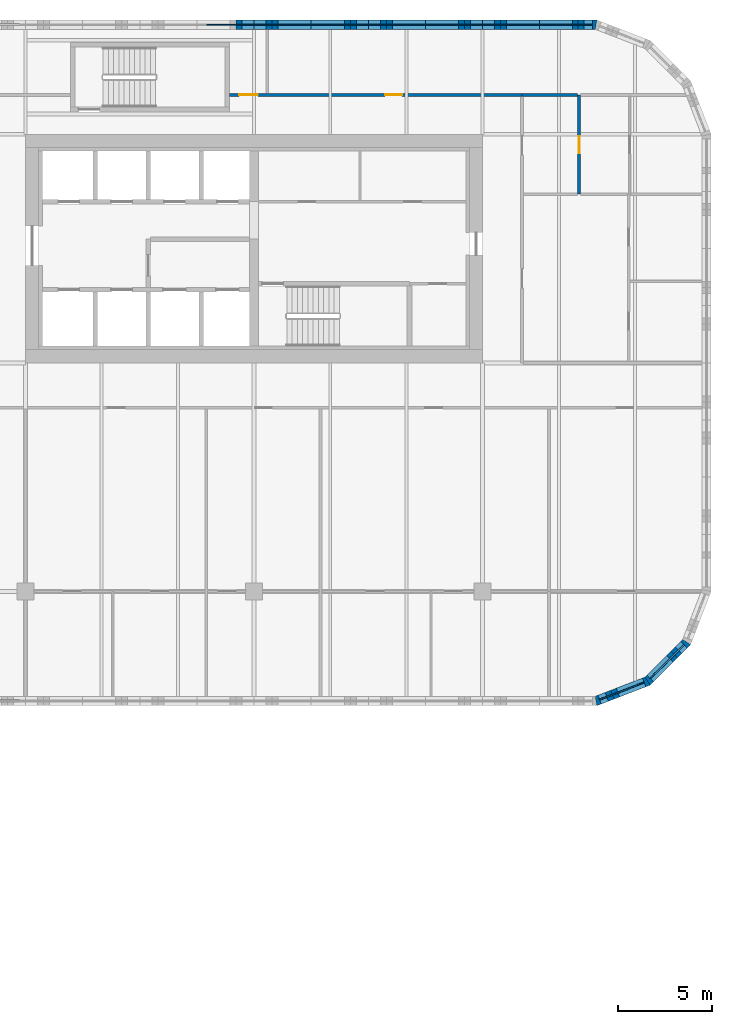
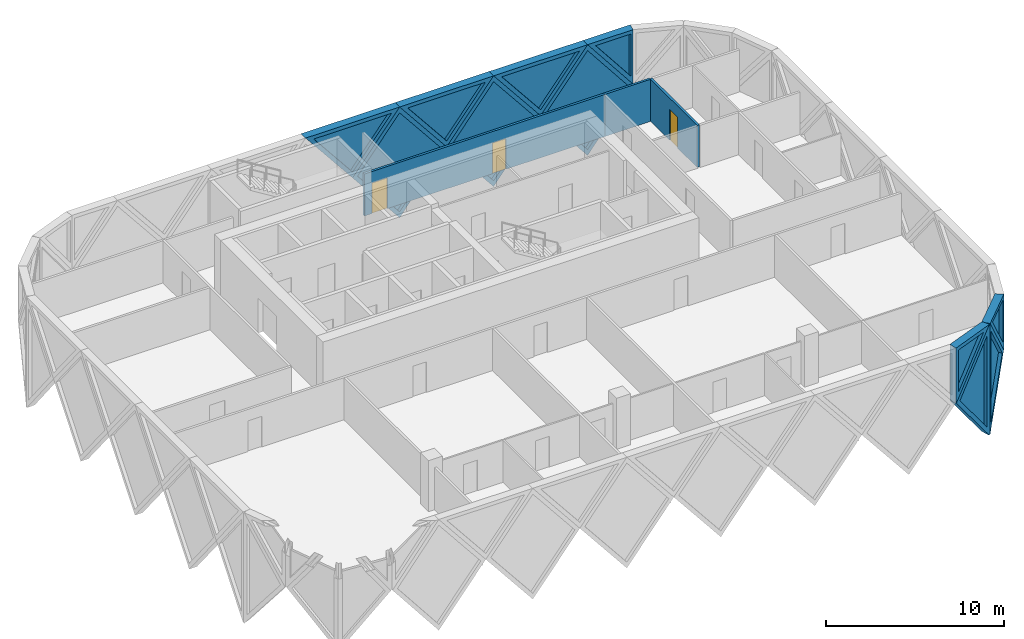
# One storey, part 19 of 24: 14 walls, 11 plates, 3 doors, 14 openings.
"""IFC4 building model written with IfcOpenShell, lengths in metres."""

from ifc_helpers import new_model, si_unit, direction, frame, frame_2d, origin, place, context, subcontext, project, spatial, polyline, rectangle, outline, extrude, faceted_brep, source, transform, mapped, material, layer, layer_set, type_object, element, fill, save


model = new_model("IFC4")

# Units and contexts
model_context = context("Model", 3, precision=1e-05, world=origin(), true_north=direction((0.0, 1.0)))
body_context = subcontext(model_context, "Body", "Model", "MODEL_VIEW")
ifc_project = project(units=[si_unit("LENGTHUNIT", "METRE"), si_unit("AREAUNIT", "SQUARE_METRE"), si_unit("VOLUMEUNIT", "CUBIC_METRE"), si_unit("PLANEANGLEUNIT", "RADIAN"), si_unit("MASSUNIT", "GRAM", prefix="KILO")], contexts=[model_context])

# Site, building, storey
site_placement = place(None, origin())
site = spatial("IfcSite", under=ifc_project, at=site_placement, CompositionType="ELEMENT")
building_placement = place(site_placement, origin())
building = spatial("IfcBuilding", under=site, at=building_placement, Name="Tessera Gate Towers", CompositionType="ELEMENT")
storey_placement = place(building_placement, frame((0.0, 0.0, 60.0)))
storey = spatial("IfcBuildingStorey", under=building, at=storey_placement, Name="L14", CompositionType="ELEMENT", Elevation=60.0)

# Wall, openings, doors
ifc_material_1 = material(Name="Gypsum board on steel studs, mineral wool", Category="steel")
ifc_layer_1 = layer(ifc_material_1, 0.14990234375)
ifc_layer_set_1 = layer_set([ifc_layer_1], Name="CORRIDOR WALL 150")
wall_type_1 = type_object("IfcWallType", Name="CORRIDOR WALL 150", PredefinedType="PARTITIONING", material=ifc_layer_set_1)
wall_1_placement = place(storey_placement, frame((108.5, 50.89990234375, 0.0), z_axis=(0.0, 0.0, 1.0), x_axis=(1.0, 0.0, 0.0)))
wall_1 = element("IfcWall", 1, at=wall_1_placement, inside=storey, type_object=wall_type_1, Name="T2-L14-PW-032", PredefinedType="PARTITIONING", context=body_context, shape_type="SweptSolid", body=[
    extrude(rectangle(XDim=15.60009765625, YDim=0.14990234375, at=frame_2d((7.800048828125, 0.0))), origin(), (0.0, 0.0, 1.0), 2.887939453125),
])
shared_shape_1 = source(origin(), body_context, "Body", "SweptSolid", [
    extrude(rectangle(XDim=1.0, YDim=2.10009765625, at=frame_2d((0.5, 1.050048828125))), frame((0.0, 0.0849609375, 0.0), z_axis=(0.0, -1.0, 0.0), x_axis=(1.0, 0.0, 0.0)), (0.0, 0.0, 1.0), 0.169921875),
])
opening_1_placement = place(wall_1_placement, frame((0.5, 0.0, 0.0)))
opening_1 = element("IfcOpeningElement", 2, at=opening_1_placement, cuts=wall_1, Name="Opening D2100FD60-B06-03", PredefinedType="OPENING", context=body_context, shape_type="MappedRepresentation", body=[
    mapped(shared_shape_1, transform((0.0, 0.0, 0.0), scale=1.0)),
])
shared_shape_2 = source(origin(), body_context, "Body", "SweptSolid", [
    extrude(rectangle(XDim=0.89990234375, YDim=2.10009765625, at=frame_2d((0.449951171875, 1.050048828125))), frame((0.0, 0.0849609375, 0.0), z_axis=(0.0, -1.0, 0.0), x_axis=(1.0, 0.0, 0.0)), (0.0, 0.0, 1.0), 0.169921875),
])
opening_2_placement = place(wall_1_placement, frame((8.300048828125, 0.0, 0.0)))
opening_2 = element("IfcOpeningElement", 3, at=opening_2_placement, cuts=wall_1, Name="Opening D890FD60-B06-06", PredefinedType="OPENING", context=body_context, shape_type="MappedRepresentation", body=[
    mapped(shared_shape_2, transform((0.0, 0.0, 0.0), scale=1.0)),
])
ifc_material_2 = material(Name="Timber door leaf in steel frame", Category="steel")
door_type_1 = type_object("IfcDoorType", Name="CORRIDOR DOOR 900 FD60", OperationType="NOTDEFINED", PredefinedType="DOOR", material=ifc_material_2)
shared_shape_3 = source(origin(), body_context, "Body", "SweptSolid", [
    extrude(rectangle(XDim=0.89990234375, YDim=2.10009765625, at=frame_2d((0.449951171875, 1.050048828125))), frame((0.0, 0.02490234375, 0.0), z_axis=(0.0, -1.0, 0.0), x_axis=(1.0, 0.0, 0.0)), (0.0, 0.0, 1.0), 0.050048828125),
])
door_1_placement = place(opening_2_placement, origin())
door_1 = element("IfcDoor", 4, at=door_1_placement, inside=storey, type_object=door_type_1, Name="T2-L14-PD-019", OperationType="SINGLE_SWING_LEFT", OverallHeight=2.10009765625, OverallWidth=0.89990234375, PredefinedType="DOOR", context=body_context, shape_type="MappedRepresentation", body=[
    mapped(shared_shape_3, transform((0.0, 0.0, 0.0), scale=1.0)),
])
fill(opening_2, door_1)
ifc_material_3 = material(Name="Timber door leaf in steel frame", Category="steel")
door_type_2 = type_object("IfcDoorType", Name="TENANCY ENTRANCE DOOR 1000 FD60", OperationType="NOTDEFINED", PredefinedType="DOOR", material=ifc_material_3)
shared_shape_4 = source(origin(), body_context, "Body", "SweptSolid", [
    extrude(rectangle(XDim=1.0, YDim=2.10009765625, at=frame_2d((0.5, 1.050048828125))), frame((0.0, 0.02490234375, 0.0), z_axis=(0.0, -1.0, 0.0), x_axis=(1.0, 0.0, 0.0)), (0.0, 0.0, 1.0), 0.050048828125),
])
door_2_placement = place(opening_1_placement, origin())
door_2 = element("IfcDoor", 5, at=door_2_placement, inside=storey, type_object=door_type_2, Name="T2-L14-PD-013", OperationType="SINGLE_SWING_RIGHT", OverallHeight=2.10009765625, OverallWidth=1.0, PredefinedType="DOOR", context=body_context, shape_type="MappedRepresentation", body=[
    mapped(shared_shape_4, transform((0.0, 0.0, 0.0), scale=1.0)),
])
fill(opening_1, door_2)

# Wall, opening, door
ifc_material_4 = material(Name="Gypsum board on steel studs, mineral wool", Category="steel")
ifc_layer_2 = layer(ifc_material_4, 0.14990234375)
ifc_layer_set_2 = layer_set([ifc_layer_2], Name="TENANCY WALL 150")
wall_type_2 = type_object("IfcWallType", Name="TENANCY WALL 150", PredefinedType="PARTITIONING", material=ifc_layer_set_2)
wall_2_placement = place(storey_placement, frame((127.14990234375, 50.89990234375, 0.0), z_axis=(0.0, 0.0, 1.0), x_axis=(0.0, -1.0, 0.0)))
wall_2 = element("IfcWall", 6, at=wall_2_placement, inside=storey, type_object=wall_type_2, Name="T2-L14-PW-026", PredefinedType="PARTITIONING", context=body_context, shape_type="SweptSolid", body=[
    extrude(rectangle(XDim=5.2998046875, YDim=0.14990234375, at=frame_2d((2.64990234375, 0.0))), origin(), (0.0, 0.0, 1.0), 2.887939453125),
])
opening_3_placement = place(wall_2_placement, frame((2.199951171875, 0.0, 0.0)))
opening_3 = element("IfcOpeningElement", 7, at=opening_3_placement, cuts=wall_2, Name="Opening D190-B06-04", PredefinedType="OPENING", context=body_context, shape_type="MappedRepresentation", body=[
    mapped(shared_shape_2, transform((0.0, 0.0, 0.0), scale=1.0)),
])
ifc_material_5 = material(Name="Timber door leaf in steel frame", Category="steel")
door_type_3 = type_object("IfcDoorType", Name="INTERNAL DOOR 900 NOT RATED", OperationType="NOTDEFINED", PredefinedType="DOOR", material=ifc_material_5)
door_3_placement = place(opening_3_placement, origin())
door_3 = element("IfcDoor", 8, at=door_3_placement, inside=storey, type_object=door_type_3, Name="T2-L14-PD-010", OperationType="SINGLE_SWING_RIGHT", OverallHeight=2.10009765625, OverallWidth=0.89990234375, PredefinedType="DOOR", context=body_context, shape_type="MappedRepresentation", body=[
    mapped(shared_shape_3, transform((0.0, 0.0, 0.0), scale=1.0)),
])
fill(opening_3, door_3)

# Wall
wall_3_placement = place(storey_placement, frame((124.10107421875, 50.89990234375, 0.0), z_axis=(0.0, 0.0, 1.0), x_axis=(1.0, 0.0, 0.0)))
element("IfcWall", 9, at=wall_3_placement, inside=storey, type_object=wall_type_2, Name="T2-L14-PW-033", PredefinedType="PARTITIONING", context=body_context, shape_type="SweptSolid", body=[
    extrude(rectangle(XDim=2.972900390625, YDim=0.14990234375, at=frame_2d((1.486328125, 0.0))), origin(), (0.0, 0.0, 1.0), 2.887939453125),
])

# Wall, opening, plate
ifc_material_6 = material(Name="Precast concrete C60/75 white", Category="concrete")
ifc_layer_3 = layer(ifc_material_6, 0.5)
ifc_layer_set_3 = layer_set([ifc_layer_3], Name="TS1 tessera")
wall_type_3 = type_object("IfcWallType", Name="TS1 tessera", PredefinedType="SOLIDWALL", material=ifc_layer_set_3)
shared_shape_5 = source(origin(), body_context, "Body", "Brep", [
    faceted_brep([(3.00341796875, -0.25, 0.0), (6.053466796875, -0.25, 3.800048828125), (3.00341796875, -0.25, 7.60009765625), (0.0, -0.25, 3.800048828125), (0.046630859375, 0.25, 3.85888671875), (3.00341796875, 0.25, 7.60009765625), (6.053466796875, 0.25, 3.800048828125), (3.00341796875, 0.25, 0.0), (0.046630859375, 0.25, 3.7412109375), (0.0, 0.0, 3.800048828125)], [[[0, 1, 2, 3]], [[4, 5, 6, 7, 8]], [[7, 6, 1, 0]], [[6, 5, 2, 1]], [[5, 4, 9, 3, 2]], [[8, 7, 0, 3, 9]], [[8, 9, 4]]]),
])
wall_4_placement = place(storey_placement, frame((128.053466796875, 54.64990234375, -3.800048828125), z_axis=(0.0, 0.0, 1.0), x_axis=(-1.0, 0.0, 0.0)))
wall_4 = element("IfcWall", 10, at=wall_4_placement, inside=storey, type_object=wall_type_3, Name="Precast tessera T2 TS1-0171", PredefinedType="SOLIDWALL", context=body_context, shape_type="MappedRepresentation", body=[
    mapped(shared_shape_5, transform((0.0, 0.0, 0.0), scale=1.0)),
])
shared_shape_6 = source(origin(), body_context, "Body", "SweptSolid", [
    extrude(outline(polyline([(3.0048828125, 0.4013671875), (5.73291015625, 3.800048828125), (3.0048828125, 7.19873046875), (0.318603515625, 3.800048828125), (3.0048828125, 0.4013671875)])), frame((0.0, 0.260009765625, 0.0), z_axis=(0.0, -1.0, 0.0), x_axis=(1.0, 0.0, 0.0)), (0.0, 0.0, 1.0), 0.52001953125),
])
opening_4_placement = place(wall_4_placement, origin())
opening_4 = element("IfcOpeningElement", 11, at=opening_4_placement, cuts=wall_4, Name="Opening T2-PL2-0323", PredefinedType="OPENING", context=body_context, shape_type="MappedRepresentation", body=[
    mapped(shared_shape_6, transform((0.0, 0.0, 0.0), scale=1.0)),
])
ifc_material_7 = material(Name="Low-e laminated glass", Category="glass")
ifc_layer_4 = layer(ifc_material_7, 0.06005859375)
ifc_layer_set_4 = layer_set([ifc_layer_4], Name="PL2 rhombic pane")
plate_type_1 = type_object("IfcPlateType", Name="PL2 rhombic pane", PredefinedType="SHEET", material=ifc_layer_set_4)
shared_shape_7 = source(origin(), body_context, "Body", "SweptSolid", [
    extrude(outline(polyline([(3.0048828125, 0.4013671875), (5.73291015625, 3.800048828125), (3.0048828125, 7.19873046875), (0.318603515625, 3.800048828125), (3.0048828125, 0.4013671875)])), frame((0.0, 0.030029296875, 0.0), z_axis=(0.0, -1.0, 0.0), x_axis=(1.0, 0.0, 0.0)), (0.0, 0.0, 1.0), 0.06005859375),
])
plate_1_placement = place(opening_4_placement, origin())
plate_1 = element("IfcPlate", 12, at=plate_1_placement, inside=storey, type_object=plate_type_1, Name="Glass pane T2 PL2-0323", PredefinedType="SHEET", context=body_context, shape_type="MappedRepresentation", body=[
    mapped(shared_shape_7, transform((0.0, 0.0, 0.0), scale=1.0)),
])
fill(opening_4, plate_1)

shared_shape_8 = source(origin(), body_context, "Body", "Brep", [
    faceted_brep([(3.050048828125, -0.25, 0.0), (6.099853515625, -0.25, 3.7998046875), (6.099853515625, -0.25, 3.80029296875), (3.050048828125, -0.25, 7.60009765625), (0.0, -0.25, 3.800048828125), (0.0, 0.25, 3.800048828125), (3.050048828125, 0.25, 7.60009765625), (6.099853515625, 0.25, 3.80029296875), (6.099853515625, 0.25, 3.7998046875), (3.050048828125, 0.25, 0.0)], [[[0, 1, 2, 3, 4]], [[5, 6, 7, 8, 9]], [[9, 8, 1, 0]], [[7, 6, 3, 2]], [[6, 5, 4, 3]], [[5, 9, 0, 4]], [[1, 8, 7, 2]]]),
])
wall_5_placement = place(storey_placement, frame((115.89990234375, 54.64990234375, -3.800048828125), z_axis=(0.0, 0.0, 1.0), x_axis=(-1.0, 0.0, 0.0)))
wall_5 = element("IfcWall", 13, at=wall_5_placement, inside=storey, type_object=wall_type_3, Name="Precast tessera T2 TS1-0173", PredefinedType="SOLIDWALL", context=body_context, shape_type="MappedRepresentation", body=[
    mapped(shared_shape_8, transform((0.0, 0.0, 0.0), scale=1.0)),
])
shared_shape_9 = source(origin(), body_context, "Body", "SweptSolid", [
    extrude(outline(polyline([(3.050048828125, 0.3994140625), (5.779541015625, 3.800048828125), (3.050048828125, 7.20068359375), (0.320556640625, 3.800048828125), (3.050048828125, 0.3994140625)])), frame((0.0, 0.260009765625, 0.0), z_axis=(0.0, -1.0, 0.0), x_axis=(1.0, 0.0, 0.0)), (0.0, 0.0, 1.0), 0.52001953125),
])
opening_5_placement = place(wall_5_placement, origin())
opening_5 = element("IfcOpeningElement", 14, at=opening_5_placement, cuts=wall_5, Name="Opening T2-PL2-0325", PredefinedType="OPENING", context=body_context, shape_type="MappedRepresentation", body=[
    mapped(shared_shape_9, transform((0.0, 0.0, 0.0), scale=1.0)),
])
shared_shape_10 = source(origin(), body_context, "Body", "SweptSolid", [
    extrude(outline(polyline([(3.050048828125, 0.3994140625), (5.779541015625, 3.800048828125), (3.050048828125, 7.20068359375), (0.320556640625, 3.800048828125), (3.050048828125, 0.3994140625)])), frame((0.0, 0.030029296875, 0.0), z_axis=(0.0, -1.0, 0.0), x_axis=(1.0, 0.0, 0.0)), (0.0, 0.0, 1.0), 0.06005859375),
])
plate_2_placement = place(opening_5_placement, origin())
plate_2 = element("IfcPlate", 15, at=plate_2_placement, inside=storey, type_object=plate_type_1, Name="Glass pane T2 PL2-0325", PredefinedType="SHEET", context=body_context, shape_type="MappedRepresentation", body=[
    mapped(shared_shape_10, transform((0.0, 0.0, 0.0), scale=1.0)),
])
fill(opening_5, plate_2)

shared_shape_11 = source(origin(), body_context, "Body", "SweptSolid", [
    extrude(outline(polyline([(3.050048828125, 0.0), (6.10009765625, 3.800048828125), (3.050048828125, 7.60009765625), (0.0, 3.800048828125), (3.050048828125, 0.0)])), frame((0.0, 0.25, 0.0), z_axis=(0.0, -1.0, 0.0), x_axis=(1.0, 0.0, 0.0)), (0.0, 0.0, 1.0), 0.5),
])
wall_6_placement = place(storey_placement, frame((122.0, 54.64990234375, -3.800048828125), z_axis=(0.0, 0.0, 1.0), x_axis=(-1.0, 0.0, 0.0)))
wall_6 = element("IfcWall", 16, at=wall_6_placement, inside=storey, type_object=wall_type_3, Name="Precast tessera T2 TS1-0172", PredefinedType="SOLIDWALL", context=body_context, shape_type="MappedRepresentation", body=[
    mapped(shared_shape_11, transform((0.0, 0.0, 0.0), scale=1.0)),
])
opening_6_placement = place(wall_6_placement, origin())
opening_6 = element("IfcOpeningElement", 17, at=opening_6_placement, cuts=wall_6, Name="Opening T2-PL2-0324", PredefinedType="OPENING", context=body_context, shape_type="MappedRepresentation", body=[
    mapped(shared_shape_9, transform((0.0, 0.0, 0.0), scale=1.0)),
])
plate_3_placement = place(opening_6_placement, origin())
plate_3 = element("IfcPlate", 18, at=plate_3_placement, inside=storey, type_object=plate_type_1, Name="Glass pane T2 PL2-0324", PredefinedType="SHEET", context=body_context, shape_type="MappedRepresentation", body=[
    mapped(shared_shape_10, transform((0.0, 0.0, 0.0), scale=1.0)),
])
fill(opening_6, plate_3)

ifc_material_8 = material(Name="Precast concrete C60/75 white", Category="concrete")
ifc_layer_5 = layer(ifc_material_8, 0.5)
ifc_layer_set_5 = layer_set([ifc_layer_5], Name="TS3 corner tessera")
wall_type_4 = type_object("IfcWallType", Name="TS3 corner tessera", PredefinedType="SOLIDWALL", material=ifc_layer_set_5)
shared_shape_12 = source(origin(), body_context, "Body", "Brep", [
    faceted_brep([(2.950439453125, -0.25, 0.0), (3.00341796875, -0.25, 0.068359375), (3.00341796875, -0.25, 7.53173828125), (2.950439453125, -0.25, 7.60009765625), (0.0, -0.25, 3.800048828125), (0.046630859375, 0.25, 3.860107421875), (2.897705078125, 0.25, 7.531982421875), (2.897705078125, 0.25, 0.068115234375), (0.046630859375, 0.25, 3.739990234375), (2.950439453125, 0.00048828125, 0.0), (2.950439453125, 0.00048828125, 7.60009765625), (0.0, 0.0, 3.800048828125)], [[[0, 1, 2, 3, 4]], [[5, 6, 7, 8]], [[1, 0, 9]], [[10, 3, 2]], [[6, 5, 11, 4, 3, 10]], [[8, 7, 9, 0, 4, 11]], [[8, 11, 5]], [[1, 9, 7, 6, 10, 2]]]),
])
wall_7_placement = place(storey_placement, frame((128.053466796875, 18.550048828125, -3.800048828125), z_axis=(0.0, 0.0, 1.0), x_axis=(0.933007896601, 0.359855894603, 0.0)))
wall_7 = element("IfcWall", 19, at=wall_7_placement, inside=storey, type_object=wall_type_4, Name="Precast corner tessera T2 TS3-0193", PredefinedType="SOLIDWALL", context=body_context, shape_type="MappedRepresentation", body=[
    mapped(shared_shape_12, transform((0.0, 0.0, 0.0), scale=1.0)),
])
shared_shape_13 = source(origin(), body_context, "Body", "SweptSolid", [
    extrude(outline(polyline([(2.75048828125, 6.934814453125), (0.31640625, 3.800048828125), (2.75048828125, 0.665283203125), (2.75048828125, 6.934814453125)])), frame((0.0, 0.260009765625, 0.0), z_axis=(0.0, -1.0, 0.0), x_axis=(1.0, 0.0, 0.0)), (0.0, 0.0, 1.0), 0.52001953125),
])
opening_7_placement = place(wall_7_placement, origin())
opening_7 = element("IfcOpeningElement", 20, at=opening_7_placement, cuts=wall_7, Name="Opening T2-PL2-0312", PredefinedType="OPENING", context=body_context, shape_type="MappedRepresentation", body=[
    mapped(shared_shape_13, transform((0.0, 0.0, 0.0), scale=1.0)),
])
shared_shape_14 = source(origin(), body_context, "Body", "SweptSolid", [
    extrude(outline(polyline([(2.75048828125, 6.934814453125), (0.31640625, 3.800048828125), (2.75048828125, 0.665283203125), (2.75048828125, 6.934814453125)])), frame((0.0, 0.030029296875, 0.0), z_axis=(0.0, -1.0, 0.0), x_axis=(1.0, 0.0, 0.0)), (0.0, 0.0, 1.0), 0.06005859375),
])
plate_4_placement = place(opening_7_placement, origin())
plate_4 = element("IfcPlate", 21, at=plate_4_placement, inside=storey, type_object=plate_type_1, Name="Glass pane T2 PL2-0312", PredefinedType="SHEET", context=body_context, shape_type="MappedRepresentation", body=[
    mapped(shared_shape_14, transform((0.0, 0.0, 0.0), scale=1.0)),
])
fill(opening_7, plate_4)

shared_shape_15 = source(origin(), body_context, "Body", "Brep", [
    faceted_brep([(0.052978515625, -0.25, 0.0), (2.9970703125, -0.25, 3.800048828125), (0.052978515625, -0.25, 7.60009765625), (0.0, -0.25, 7.531982421875), (0.0, -0.25, 0.068115234375), (0.10595703125, 0.25, 7.53173828125), (2.944091796875, 0.25, 3.8681640625), (2.944091796875, 0.25, 3.73193359375), (0.10595703125, 0.25, 0.068359375), (2.9970703125, 0.000244140625, 3.800048828125), (0.052978515625, 0.0, 0.0), (0.052978515625, 0.0, 7.60009765625)], [[[0, 1, 2, 3, 4]], [[5, 6, 7, 8]], [[8, 7, 9, 1, 0, 10]], [[6, 5, 11, 2, 1, 9]], [[3, 2, 11]], [[10, 0, 4]], [[8, 10, 4, 3, 11, 5]], [[9, 7, 6]]]),
])
wall_8_placement = place(storey_placement, frame((130.768798828125, 19.574462890625, -3.800048828125), z_axis=(0.0, 0.0, 1.0), x_axis=(0.707106781187, 0.707106781187, 0.0)))
wall_8 = element("IfcWall", 22, at=wall_8_placement, inside=storey, type_object=wall_type_4, Name="Precast corner tessera T2 TS3-0194", PredefinedType="SOLIDWALL", context=body_context, shape_type="MappedRepresentation", body=[
    mapped(shared_shape_15, transform((0.0, 0.0, 0.0), scale=1.0)),
])
shared_shape_16 = source(origin(), body_context, "Body", "SweptSolid", [
    extrude(outline(polyline([(0.2529296875, 0.666259765625), (2.680908203125, 3.800048828125), (0.2529296875, 6.933837890625), (0.2529296875, 0.666259765625)])), frame((0.0, 0.260009765625, 0.0), z_axis=(0.0, -1.0, 0.0), x_axis=(1.0, 0.0, 0.0)), (0.0, 0.0, 1.0), 0.52001953125),
])
opening_8_placement = place(wall_8_placement, origin())
opening_8 = element("IfcOpeningElement", 23, at=opening_8_placement, cuts=wall_8, Name="Opening T2-PL2-0313", PredefinedType="OPENING", context=body_context, shape_type="MappedRepresentation", body=[
    mapped(shared_shape_16, transform((0.0, 0.0, 0.0), scale=1.0)),
])
shared_shape_17 = source(origin(), body_context, "Body", "SweptSolid", [
    extrude(outline(polyline([(0.2529296875, 0.666259765625), (2.680908203125, 3.800048828125), (0.2529296875, 6.933837890625), (0.2529296875, 0.666259765625)])), frame((0.0, 0.030029296875, 0.0), z_axis=(0.0, -1.0, 0.0), x_axis=(1.0, 0.0, 0.0)), (0.0, 0.0, 1.0), 0.06005859375),
])
plate_5_placement = place(opening_8_placement, origin())
plate_5 = element("IfcPlate", 24, at=plate_5_placement, inside=storey, type_object=plate_type_1, Name="Glass pane T2 PL2-0313", PredefinedType="SHEET", context=body_context, shape_type="MappedRepresentation", body=[
    mapped(shared_shape_17, transform((0.0, 0.0, 0.0), scale=1.0)),
])
fill(opening_8, plate_5)

shared_shape_18 = source(origin(), body_context, "Body", "Brep", [
    faceted_brep([(0.046630859375, -0.25, 0.0), (3.050048828125, -0.25, 3.800048828125), (0.0, -0.25, 3.800048828125), (0.0, -0.25, 0.06005859375), (0.09326171875, 0.25, 3.800048828125), (3.050048828125, 0.25, 3.800048828125), (0.09326171875, 0.25, 0.058837890625), (0.046630859375, 0.0, 0.0)], [[[0, 1, 2, 3]], [[4, 5, 6]], [[6, 5, 1, 0, 7]], [[5, 4, 2, 1]], [[7, 0, 3]], [[6, 7, 3, 2, 4]]]),
])
wall_9_placement = place(storey_placement, frame((128.10009765625, 54.64990234375, 0.0), z_axis=(0.0, 0.0, 1.0), x_axis=(-1.0, 0.0, 0.0)))
wall_9 = element("IfcWall", 25, at=wall_9_placement, inside=storey, type_object=wall_type_4, Name="Precast corner tessera T2 TS3-0218", PredefinedType="SOLIDWALL", context=body_context, shape_type="MappedRepresentation", body=[
    mapped(shared_shape_18, transform((0.0, 0.0, 0.0), scale=1.0)),
])
shared_shape_19 = source(origin(), body_context, "Body", "SweptSolid", [
    extrude(outline(polyline([(0.24658203125, 0.65625), (2.533935546875, 3.550048828125), (0.24658203125, 3.550048828125), (0.24658203125, 0.65625)])), frame((0.0, 0.260009765625, 0.0), z_axis=(0.0, -1.0, 0.0), x_axis=(1.0, 0.0, 0.0)), (0.0, 0.0, 1.0), 0.52001953125),
])
opening_9_placement = place(wall_9_placement, origin())
opening_9 = element("IfcOpeningElement", 26, at=opening_9_placement, cuts=wall_9, Name="Opening T2-PL1-0120", PredefinedType="OPENING", context=body_context, shape_type="MappedRepresentation", body=[
    mapped(shared_shape_19, transform((0.0, 0.0, 0.0), scale=1.0)),
])
ifc_material_9 = material(Name="Low-e laminated glass", Category="glass")
ifc_layer_6 = layer(ifc_material_9, 0.06005859375)
ifc_layer_set_6 = layer_set([ifc_layer_6], Name="PL1 triangular pane")
plate_type_2 = type_object("IfcPlateType", Name="PL1 triangular pane", PredefinedType="SHEET", material=ifc_layer_set_6)
shared_shape_20 = source(origin(), body_context, "Body", "SweptSolid", [
    extrude(outline(polyline([(0.24658203125, 0.65625), (2.533935546875, 3.550048828125), (0.24658203125, 3.550048828125), (0.24658203125, 0.65625)])), frame((0.0, 0.030029296875, 0.0), z_axis=(0.0, -1.0, 0.0), x_axis=(1.0, 0.0, 0.0)), (0.0, 0.0, 1.0), 0.06005859375),
])
plate_6_placement = place(opening_9_placement, origin())
plate_6 = element("IfcPlate", 27, at=plate_6_placement, inside=storey, type_object=plate_type_2, Name="Glass pane T2 PL1-0120", PredefinedType="SHEET", context=body_context, shape_type="MappedRepresentation", body=[
    mapped(shared_shape_20, transform((0.0, 0.0, 0.0), scale=1.0)),
])
fill(opening_9, plate_6)

ifc_material_10 = material(Name="Precast concrete C60/75 white", Category="concrete")
ifc_layer_7 = layer(ifc_material_10, 0.5)
ifc_layer_set_7 = layer_set([ifc_layer_7], Name="TS2 half tessera")
wall_type_5 = type_object("IfcWallType", Name="TS2 half tessera", PredefinedType="SOLIDWALL", material=ifc_layer_set_7)
shared_shape_21 = source(origin(), body_context, "Body", "Brep", [
    faceted_brep([(3.050048828125, -0.25, 0.0), (6.099853515625, -0.25, 3.7998046875), (6.099853515625, -0.25, 3.800048828125), (0.0, -0.25, 3.800048828125), (0.0, 0.25, 3.800048828125), (6.099853515625, 0.25, 3.800048828125), (6.099853515625, 0.25, 3.7998046875), (3.050048828125, 0.25, 0.0)], [[[0, 1, 2, 3]], [[4, 5, 6, 7]], [[7, 6, 1, 0]], [[5, 4, 3, 2]], [[4, 7, 0, 3]], [[1, 6, 5, 2]]]),
])
wall_10_placement = place(storey_placement, frame((118.949951171875, 54.64990234375, 0.0), z_axis=(0.0, 0.0, 1.0), x_axis=(-1.0, 0.0, 0.0)))
wall_10 = element("IfcWall", 28, at=wall_10_placement, inside=storey, type_object=wall_type_5, Name="Precast half tessera T2 TS2-0064", PredefinedType="SOLIDWALL", context=body_context, shape_type="MappedRepresentation", body=[
    mapped(shared_shape_21, transform((0.0, 0.0, 0.0), scale=1.0)),
])
shared_shape_22 = source(origin(), body_context, "Body", "SweptSolid", [
    extrude(outline(polyline([(3.050048828125, 0.3994140625), (5.578857421875, 3.550048828125), (0.521240234375, 3.550048828125), (3.050048828125, 0.3994140625)])), frame((0.0, 0.260009765625, 0.0), z_axis=(0.0, -1.0, 0.0), x_axis=(1.0, 0.0, 0.0)), (0.0, 0.0, 1.0), 0.52001953125),
])
opening_10_placement = place(wall_10_placement, origin())
opening_10 = element("IfcOpeningElement", 29, at=opening_10_placement, cuts=wall_10, Name="Opening T2-PL1-0122", PredefinedType="OPENING", context=body_context, shape_type="MappedRepresentation", body=[
    mapped(shared_shape_22, transform((0.0, 0.0, 0.0), scale=1.0)),
])
shared_shape_23 = source(origin(), body_context, "Body", "SweptSolid", [
    extrude(outline(polyline([(3.050048828125, 0.3994140625), (5.578857421875, 3.550048828125), (0.521240234375, 3.550048828125), (3.050048828125, 0.3994140625)])), frame((0.0, 0.030029296875, 0.0), z_axis=(0.0, -1.0, 0.0), x_axis=(1.0, 0.0, 0.0)), (0.0, 0.0, 1.0), 0.06005859375),
])
plate_7_placement = place(opening_10_placement, origin())
plate_7 = element("IfcPlate", 30, at=plate_7_placement, inside=storey, type_object=plate_type_2, Name="Glass pane T2 PL1-0122", PredefinedType="SHEET", context=body_context, shape_type="MappedRepresentation", body=[
    mapped(shared_shape_23, transform((0.0, 0.0, 0.0), scale=1.0)),
])
fill(opening_10, plate_7)

shared_shape_24 = source(origin(), body_context, "Body", "SweptSolid", [
    extrude(outline(polyline([(3.050048828125, 0.0), (6.10009765625, 3.800048828125), (0.0, 3.800048828125), (3.050048828125, 0.0)])), frame((0.0, 0.25, 0.0), z_axis=(0.0, -1.0, 0.0), x_axis=(1.0, 0.0, 0.0)), (0.0, 0.0, 1.0), 0.5),
])
wall_11_placement = place(storey_placement, frame((125.050048828125, 54.64990234375, 0.0), z_axis=(0.0, 0.0, 1.0), x_axis=(-1.0, 0.0, 0.0)))
wall_11 = element("IfcWall", 31, at=wall_11_placement, inside=storey, type_object=wall_type_5, Name="Precast half tessera T2 TS2-0063", PredefinedType="SOLIDWALL", context=body_context, shape_type="MappedRepresentation", body=[
    mapped(shared_shape_24, transform((0.0, 0.0, 0.0), scale=1.0)),
])
opening_11_placement = place(wall_11_placement, origin())
opening_11 = element("IfcOpeningElement", 32, at=opening_11_placement, cuts=wall_11, Name="Opening T2-PL1-0121", PredefinedType="OPENING", context=body_context, shape_type="MappedRepresentation", body=[
    mapped(shared_shape_22, transform((0.0, 0.0, 0.0), scale=1.0)),
])
plate_8_placement = place(opening_11_placement, origin())
plate_8 = element("IfcPlate", 33, at=plate_8_placement, inside=storey, type_object=plate_type_2, Name="Glass pane T2 PL1-0121", PredefinedType="SHEET", context=body_context, shape_type="MappedRepresentation", body=[
    mapped(shared_shape_23, transform((0.0, 0.0, 0.0), scale=1.0)),
])
fill(opening_11, plate_8)

wall_12_placement = place(storey_placement, frame((112.85009765625, 54.64990234375, 0.0), z_axis=(0.0, 0.0, 1.0), x_axis=(-1.0, 0.0, 0.0)))
wall_12 = element("IfcWall", 34, at=wall_12_placement, inside=storey, type_object=wall_type_5, Name="Precast half tessera T2 TS2-0065", PredefinedType="SOLIDWALL", context=body_context, shape_type="MappedRepresentation", body=[
    mapped(shared_shape_24, transform((0.0, 0.0, 0.0), scale=1.0)),
])
opening_12_placement = place(wall_12_placement, origin())
opening_12 = element("IfcOpeningElement", 35, at=opening_12_placement, cuts=wall_12, Name="Opening T2-PL1-0123", PredefinedType="OPENING", context=body_context, shape_type="MappedRepresentation", body=[
    mapped(shared_shape_22, transform((0.0, 0.0, 0.0), scale=1.0)),
])
plate_9_placement = place(opening_12_placement, origin())
plate_9 = element("IfcPlate", 36, at=plate_9_placement, inside=storey, type_object=plate_type_2, Name="Glass pane T2 PL1-0123", PredefinedType="SHEET", context=body_context, shape_type="MappedRepresentation", body=[
    mapped(shared_shape_23, transform((0.0, 0.0, 0.0), scale=1.0)),
])
fill(opening_12, plate_9)

shared_shape_25 = source(origin(), body_context, "Body", "Brep", [
    faceted_brep([(0.046630859375, -0.25, 0.0), (2.9970703125, -0.25, 3.800048828125), (0.0, -0.25, 3.800048828125), (0.0, -0.25, 0.058837890625), (0.09326171875, 0.25, 3.800048828125), (2.9443359375, 0.25, 3.800048828125), (2.9443359375, 0.25, 3.73193359375), (0.09326171875, 0.25, 0.06005859375), (2.9970703125, 0.00048828125, 3.800048828125), (0.046630859375, 0.0, 0.0)], [[[0, 1, 2, 3]], [[4, 5, 6, 7]], [[7, 6, 8, 1, 0, 9]], [[5, 4, 2, 1, 8]], [[9, 0, 3]], [[7, 9, 3, 2, 4]], [[6, 5, 8]]]),
])
wall_13_placement = place(storey_placement, frame((128.010009765625, 18.533203125, 0.0), z_axis=(0.0, 0.0, 1.0), x_axis=(0.932990326376, 0.359901446078, 0.0)))
wall_13 = element("IfcWall", 37, at=wall_13_placement, inside=storey, type_object=wall_type_4, Name="Precast corner tessera T2 TS3-0212", PredefinedType="SOLIDWALL", context=body_context, shape_type="MappedRepresentation", body=[
    mapped(shared_shape_25, transform((0.0, 0.0, 0.0), scale=1.0)),
])
shared_shape_26 = source(origin(), body_context, "Body", "SweptSolid", [
    extrude(outline(polyline([(0.24658203125, 0.665283203125), (2.486572265625, 3.550048828125), (0.24658203125, 3.550048828125), (0.24658203125, 0.665283203125)])), frame((0.0, 0.260009765625, 0.0), z_axis=(0.0, -1.0, 0.0), x_axis=(1.0, 0.0, 0.0)), (0.0, 0.0, 1.0), 0.52001953125),
])
opening_13_placement = place(wall_13_placement, origin())
opening_13 = element("IfcOpeningElement", 38, at=opening_13_placement, cuts=wall_13, Name="Opening T2-PL1-0110", PredefinedType="OPENING", context=body_context, shape_type="MappedRepresentation", body=[
    mapped(shared_shape_26, transform((0.0, 0.0, 0.0), scale=1.0)),
])
shared_shape_27 = source(origin(), body_context, "Body", "SweptSolid", [
    extrude(outline(polyline([(0.24658203125, 0.665283203125), (2.486572265625, 3.550048828125), (0.24658203125, 3.550048828125), (0.24658203125, 0.665283203125)])), frame((0.0, 0.030029296875, 0.0), z_axis=(0.0, -1.0, 0.0), x_axis=(1.0, 0.0, 0.0)), (0.0, 0.0, 1.0), 0.06005859375),
])
plate_10_placement = place(opening_13_placement, origin())
plate_10 = element("IfcPlate", 39, at=plate_10_placement, inside=storey, type_object=plate_type_2, Name="Glass pane T2 PL1-0110", PredefinedType="SHEET", context=body_context, shape_type="MappedRepresentation", body=[
    mapped(shared_shape_27, transform((0.0, 0.0, 0.0), scale=1.0)),
])
fill(opening_13, plate_10)

shared_shape_28 = source(origin(), body_context, "Body", "Brep", [
    faceted_brep([(2.944091796875, -0.25, 0.0), (2.9970703125, -0.25, 0.068115234375), (2.9970703125, -0.25, 3.800048828125), (0.0, -0.25, 3.800048828125), (0.052978515625, 0.25, 3.800048828125), (2.89111328125, 0.25, 3.800048828125), (2.89111328125, 0.25, 0.068115234375), (0.052978515625, 0.25, 3.731689453125), (2.944091796875, 0.000244140625, 0.0), (0.0, 0.0, 3.800048828125)], [[[0, 1, 2, 3]], [[4, 5, 6, 7]], [[1, 0, 8]], [[5, 4, 9, 3, 2]], [[7, 6, 8, 0, 3, 9]], [[7, 9, 4]], [[1, 8, 6, 5, 2]]]),
])
wall_14_placement = place(storey_placement, frame((130.80615234375, 19.61181640625, 0.0), z_axis=(0.0, 0.0, 1.0), x_axis=(0.707106781187, 0.707106781187, 0.0)))
wall_14 = element("IfcWall", 40, at=wall_14_placement, inside=storey, type_object=wall_type_4, Name="Precast corner tessera T2 TS3-0213", PredefinedType="SOLIDWALL", context=body_context, shape_type="MappedRepresentation", body=[
    mapped(shared_shape_28, transform((0.0, 0.0, 0.0), scale=1.0)),
])
shared_shape_29 = source(origin(), body_context, "Body", "SweptSolid", [
    extrude(outline(polyline([(2.744140625, 3.550048828125), (0.510009765625, 3.550048828125), (2.744140625, 0.666259765625), (2.744140625, 3.550048828125)])), frame((0.0, 0.260009765625, 0.0), z_axis=(0.0, -1.0, 0.0), x_axis=(1.0, 0.0, 0.0)), (0.0, 0.0, 1.0), 0.52001953125),
])
opening_14_placement = place(wall_14_placement, origin())
opening_14 = element("IfcOpeningElement", 41, at=opening_14_placement, cuts=wall_14, Name="Opening T2-PL1-0111", PredefinedType="OPENING", context=body_context, shape_type="MappedRepresentation", body=[
    mapped(shared_shape_29, transform((0.0, 0.0, 0.0), scale=1.0)),
])
shared_shape_30 = source(origin(), body_context, "Body", "SweptSolid", [
    extrude(outline(polyline([(2.744140625, 3.550048828125), (0.510009765625, 3.550048828125), (2.744140625, 0.666259765625), (2.744140625, 3.550048828125)])), frame((0.0, 0.030029296875, 0.0), z_axis=(0.0, -1.0, 0.0), x_axis=(1.0, 0.0, 0.0)), (0.0, 0.0, 1.0), 0.06005859375),
])
plate_11_placement = place(opening_14_placement, origin())
plate_11 = element("IfcPlate", 42, at=plate_11_placement, inside=storey, type_object=plate_type_2, Name="Glass pane T2 PL1-0111", PredefinedType="SHEET", context=body_context, shape_type="MappedRepresentation", body=[
    mapped(shared_shape_30, transform((0.0, 0.0, 0.0), scale=1.0)),
])
fill(opening_14, plate_11)

save(model, "model.ifc")
